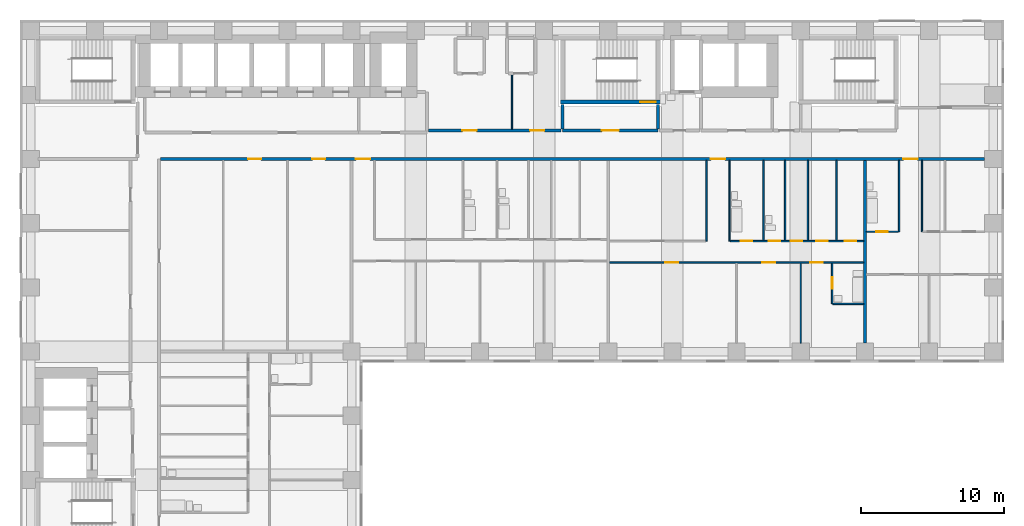
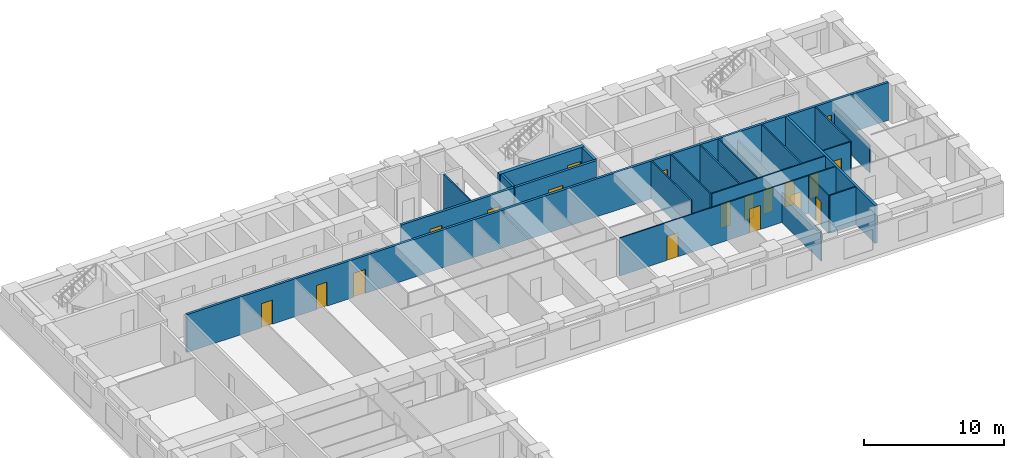
# One storey, part 7 of 12: 22 walls, 19 doors, 19 openings.
"""IFC4 building model written with IfcOpenShell, lengths in metres."""

from ifc_helpers import new_model, si_unit, direction, frame, frame_2d, origin, place, context, subcontext, project, spatial, rectangle, extrude, material, layer, layer_set, type_object, element, fill, save


model = new_model("IFC4")

# Units and contexts
model_context = context("Model", 3, precision=1e-05, world=origin(), true_north=direction((0.0, 1.0)))
body_context = subcontext(model_context, "Body", "Model", "MODEL_VIEW")
ifc_project = project(units=[si_unit("LENGTHUNIT", "METRE"), si_unit("AREAUNIT", "SQUARE_METRE"), si_unit("VOLUMEUNIT", "CUBIC_METRE"), si_unit("PLANEANGLEUNIT", "RADIAN"), si_unit("MASSUNIT", "GRAM", prefix="KILO")], contexts=[model_context])

# Site, building, storey
site_placement = place(None, origin())
site = spatial("IfcSite", under=ifc_project, at=site_placement, CompositionType="ELEMENT")
building_placement = place(site_placement, origin())
building = spatial("IfcBuilding", under=site, at=building_placement, Name="Firuza Court", CompositionType="ELEMENT")
storey_placement = place(building_placement, frame((0.0, 0.0, 97.39990234375)))
storey = spatial("IfcBuildingStorey", under=building, at=storey_placement, Name="L24", CompositionType="ELEMENT", Elevation=97.39990234375)

# Wall, opening, door
ifc_material_1 = material(Name="Moisture-resistant gypsum board partition")
ifc_layer_1 = layer(ifc_material_1, 0.10009765625)
ifc_layer_set_1 = layer_set([ifc_layer_1], Name="Moisture-resistant gypsum board partition")
wall_type_1 = type_object("IfcWallType", Name="Bathroom partition 100", PredefinedType="PLUMBINGWALL", material=ifc_layer_set_1)
wall_1_placement = place(storey_placement, frame((56.199951171875, 39.35009765625, 0.0), z_axis=(0.0, 0.0, 1.0), x_axis=(0.0, 1.0, 0.0)))
wall_1 = element("IfcWall", 1, at=wall_1_placement, inside=storey, type_object=wall_type_1, Name="Bathroom partition 100 L24", PredefinedType="PLUMBINGWALL", context=body_context, shape_type="SweptSolid", body=[
    extrude(rectangle(XDim=2.849853515625, YDim=0.10009765625, at=frame_2d((1.4248046875, 0.0))), origin(), (0.0, 0.0, 1.0), 3.300048828125),
])
opening_1_placement = place(wall_1_placement, frame((1.050048828125, 0.0, 0.0)))
opening_1 = element("IfcOpeningElement", 2, at=opening_1_placement, cuts=wall_1, Name="Opening D24041", PredefinedType="OPENING", context=body_context, shape_type="SweptSolid", body=[
    extrude(rectangle(XDim=0.800048828125, YDim=2.10009765625, at=frame_2d((0.39990234375, 1.050048828125))), frame((0.0, 0.06201171875, 0.0), z_axis=(0.0, -1.0, 0.0), x_axis=(1.0, 0.0, 0.0)), (0.0, 0.0, 1.0), 0.1240234375),
])
ifc_material_2 = material(Name="Timber door leaf in hardwood frame", Category="wood")
door_type_1 = type_object("IfcDoorType", Name="Bathroom door 800", OperationType="SINGLE_SWING_LEFT", PredefinedType="DOOR", material=ifc_material_2)
door_1_placement = place(opening_1_placement, frame((0.800048828125, 0.0, 0.0), z_axis=(0.0, 0.0, 1.0), x_axis=(-1.0, 0.0, 0.0)))
door_1 = element("IfcDoor", 3, at=door_1_placement, inside=storey, type_object=door_type_1, Name="En-suite door", OperationType="SINGLE_SWING_RIGHT", OverallHeight=2.10009765625, OverallWidth=0.800048828125, PredefinedType="DOOR", context=body_context, shape_type="SweptSolid", body=[
    extrude(rectangle(XDim=0.800048828125, YDim=2.10009765625, at=frame_2d((0.39990234375, 1.050048828125))), frame((0.0, 0.02490234375, 0.0), z_axis=(0.0, -1.0, 0.0), x_axis=(1.0, 0.0, 0.0)), (0.0, 0.0, 1.0), 0.050048828125),
])
fill(opening_1, door_1)

# Walls
wall_2_placement = place(storey_placement, frame((56.25, 39.35009765625, 0.0), z_axis=(0.0, 0.0, 1.0), x_axis=(1.0, 0.0, 0.0)))
element("IfcWall", 4, at=wall_2_placement, inside=storey, type_object=wall_type_1, Name="Bathroom partition 100 L24", PredefinedType="PLUMBINGWALL", context=body_context, shape_type="SweptSolid", body=[
    extrude(rectangle(XDim=2.14990234375, YDim=0.10009765625, at=frame_2d((1.074951171875, 0.0))), origin(), (0.0, 0.0, 1.0), 3.300048828125),
])
wall_3_placement = place(storey_placement, frame((49.0, 43.75, 0.0), z_axis=(0.0, 0.0, 1.0), x_axis=(0.0, 1.0, 0.0)))
element("IfcWall", 5, at=wall_3_placement, inside=storey, type_object=wall_type_1, Name="Bathroom partition 100 L24", PredefinedType="PLUMBINGWALL", context=body_context, shape_type="SweptSolid", body=[
    extrude(rectangle(XDim=5.64990234375, YDim=0.10009765625, at=frame_2d((2.824951171875, 0.0))), origin(), (0.0, 0.0, 1.0), 3.300048828125),
])
for number, where, z_axis, x_axis, name in (
    (6, (51.39990234375, 43.800048828125, 0.0), (0.0, 0.0, 1.0), (0.0, 1.0, 0.0), "Bathroom partition 100 L24"),
    (7, (52.89990234375, 43.800048828125, 0.0), (0.0, 0.0, 1.0), (0.0, 1.0, 0.0), "Bathroom partition 100 L24"),
):
    element("IfcWall", number, at=place(storey_placement, frame(where, z_axis=z_axis, x_axis=x_axis)), inside=storey, type_object=wall_type_1, Name=name, PredefinedType="PLUMBINGWALL", context=body_context, shape_type="SweptSolid", body=[
        extrude(rectangle(XDim=5.599853515625, YDim=0.10009765625, at=frame_2d((2.7998046875, 0.0))), origin(), (0.0, 0.0, 1.0), 3.300048828125),
    ])
wall_4_placement = place(storey_placement, frame((60.89990234375, 44.39990234375, 0.0), z_axis=(0.0, 0.0, 1.0), x_axis=(0.0, 1.0, 0.0)))
element("IfcWall", 8, at=wall_4_placement, inside=storey, type_object=wall_type_1, Name="Bathroom partition 100 L24", PredefinedType="PLUMBINGWALL", context=body_context, shape_type="SweptSolid", body=[
    extrude(rectangle(XDim=5.0, YDim=0.10009765625, at=frame_2d((2.5, 0.0))), origin(), (0.0, 0.0, 1.0), 3.300048828125),
])

# Wall, opening, door
ifc_material_3 = material(Name="Concrete C60/75", Category="concrete")
ifc_layer_2 = layer(ifc_material_3, 0.300048828125)
ifc_layer_set_2 = layer_set([ifc_layer_2], Name="Concrete C60/75")
wall_type_2 = type_object("IfcWallType", Name="Core wall 300 C60/75", PredefinedType="SHEAR", material=ifc_layer_set_2)
wall_5_placement = place(storey_placement, frame((37.14990234375, 53.5, -0.2998046875), z_axis=(0.0, 0.0, 1.0), x_axis=(1.0, 0.0, 0.0)))
wall_5 = element("IfcWall", 9, at=wall_5_placement, inside=storey, type_object=wall_type_2, Name="Core wall stair L24", PredefinedType="SHEAR", context=body_context, shape_type="SweptSolid", body=[
    extrude(rectangle(XDim=7.0, YDim=0.300048828125, at=frame_2d((3.5, 0.0))), origin(), (0.0, 0.0, 1.0), 3.599853515625),
])
opening_2_placement = place(wall_5_placement, frame((5.580078125, 0.0, 0.300048828125)))
opening_2 = element("IfcOpeningElement", 10, at=opening_2_placement, cuts=wall_5, Name="Opening D24013", PredefinedType="OPENING", context=body_context, shape_type="SweptSolid", body=[
    extrude(rectangle(XDim=1.10009765625, YDim=2.10009765625, at=frame_2d((0.550048828125, 1.050048828125))), frame((0.0, 0.162109375, 0.0), z_axis=(0.0, -1.0, 0.0), x_axis=(1.0, 0.0, 0.0)), (0.0, 0.0, 1.0), 0.323974609375),
])
ifc_material_4 = material(Name="Timber door leaf in hardwood frame", Category="wood")
door_type_2 = type_object("IfcDoorType", Name="Stair door 1100", OperationType="SINGLE_SWING_LEFT", PredefinedType="DOOR", material=ifc_material_4)
door_2_placement = place(opening_2_placement, origin())
door_2 = element("IfcDoor", 11, at=door_2_placement, inside=storey, type_object=door_type_2, Name="Stair door S1", OperationType="SINGLE_SWING_RIGHT", OverallHeight=2.10009765625, OverallWidth=1.10009765625, PredefinedType="DOOR", context=body_context, shape_type="SweptSolid", body=[
    extrude(rectangle(XDim=1.10009765625, YDim=2.10009765625, at=frame_2d((0.550048828125, 1.050048828125))), frame((0.0, 0.02490234375, 0.0), z_axis=(0.0, -1.0, 0.0), x_axis=(1.0, 0.0, 0.0)), (0.0, 0.0, 1.0), 0.050048828125),
])
fill(opening_2, door_2)

# Wall, openings, doors
ifc_material_5 = material(Name="Blockwork, plastered both sides", Category="masonry")
ifc_layer_3 = layer(ifc_material_5, 0.199951171875)
ifc_layer_set_3 = layer_set([ifc_layer_3], Name="Blockwork, plastered both sides")
wall_type_3 = type_object("IfcWallType", Name="Corridor wall 200", PredefinedType="PARTITIONING", material=ifc_layer_set_3)
wall_6_placement = place(storey_placement, frame((9.10009765625, 49.5, 0.0), z_axis=(0.0, 0.0, 1.0), x_axis=(1.0, 0.0, 0.0)))
wall_6 = element("IfcWall", 12, at=wall_6_placement, inside=storey, type_object=wall_type_3, Name="Corridor wall 200 L24", PredefinedType="PARTITIONING", context=body_context, shape_type="SweptSolid", body=[
    extrude(rectangle(XDim=57.7998046875, YDim=0.199951171875, at=frame_2d((28.89990234375, 0.0))), origin(), (0.0, 0.0, 1.0), 3.300048828125),
])
opening_3_placement = place(wall_6_placement, frame((13.699951171875, 0.0, 0.0)))
opening_3 = element("IfcOpeningElement", 13, at=opening_3_placement, cuts=wall_6, Name="Opening D24066", PredefinedType="OPENING", context=body_context, shape_type="SweptSolid", body=[
    extrude(rectangle(XDim=1.0, YDim=2.10009765625, at=frame_2d((0.5, 1.050048828125))), frame((0.0, 0.11181640625, 0.0), z_axis=(0.0, -1.0, 0.0), x_axis=(1.0, 0.0, 0.0)), (0.0, 0.0, 1.0), 0.223876953125),
])
opening_4_placement = place(wall_6_placement, frame((38.60009765625, 0.0, 0.0)))
opening_4 = element("IfcOpeningElement", 14, at=opening_4_placement, cuts=wall_6, Name="Opening D24067", PredefinedType="OPENING", context=body_context, shape_type="SweptSolid", body=[
    extrude(rectangle(XDim=1.0, YDim=2.10009765625, at=frame_2d((0.5, 1.050048828125))), frame((0.0, 0.11181640625, 0.0), z_axis=(0.0, -1.0, 0.0), x_axis=(1.0, 0.0, 0.0)), (0.0, 0.0, 1.0), 0.223876953125),
])
opening_5_placement = place(wall_6_placement, frame((52.10009765625, 0.0, 0.0)))
opening_5 = element("IfcOpeningElement", 15, at=opening_5_placement, cuts=wall_6, Name="Opening D24068", PredefinedType="OPENING", context=body_context, shape_type="SweptSolid", body=[
    extrude(rectangle(XDim=1.0, YDim=2.10009765625, at=frame_2d((0.5, 1.050048828125))), frame((0.0, 0.11181640625, 0.0), z_axis=(0.0, -1.0, 0.0), x_axis=(1.0, 0.0, 0.0)), (0.0, 0.0, 1.0), 0.223876953125),
])
opening_6_placement = place(wall_6_placement, frame((6.14990234375, 0.0, 0.0)))
opening_6 = element("IfcOpeningElement", 16, at=opening_6_placement, cuts=wall_6, Name="Opening D24069", PredefinedType="OPENING", context=body_context, shape_type="SweptSolid", body=[
    extrude(rectangle(XDim=0.89990234375, YDim=2.10009765625, at=frame_2d((0.449951171875, 1.050048828125))), frame((0.0, 0.11181640625, 0.0), z_axis=(0.0, -1.0, 0.0), x_axis=(1.0, 0.0, 0.0)), (0.0, 0.0, 1.0), 0.223876953125),
])
opening_7_placement = place(wall_6_placement, frame((10.64990234375, 0.0, 0.0)))
opening_7 = element("IfcOpeningElement", 17, at=opening_7_placement, cuts=wall_6, Name="Opening D24070", PredefinedType="OPENING", context=body_context, shape_type="SweptSolid", body=[
    extrude(rectangle(XDim=0.89990234375, YDim=2.10009765625, at=frame_2d((0.449951171875, 1.050048828125))), frame((0.0, 0.11181640625, 0.0), z_axis=(0.0, -1.0, 0.0), x_axis=(1.0, 0.0, 0.0)), (0.0, 0.0, 1.0), 0.223876953125),
])
ifc_material_6 = material(Name="Timber door leaf in hardwood frame", Category="wood")
door_type_3 = type_object("IfcDoorType", Name="Flat entrance door 1000", OperationType="SINGLE_SWING_LEFT", PredefinedType="DOOR", material=ifc_material_6)
door_3_placement = place(opening_3_placement, origin())
door_3 = element("IfcDoor", 18, at=door_3_placement, inside=storey, type_object=door_type_3, Name="Flat entrance door", OperationType="SINGLE_SWING_LEFT", OverallHeight=2.10009765625, OverallWidth=1.0, PredefinedType="DOOR", context=body_context, shape_type="SweptSolid", body=[
    extrude(rectangle(XDim=1.0, YDim=2.10009765625, at=frame_2d((0.5, 1.050048828125))), frame((0.0, 0.02490234375, 0.0), z_axis=(0.0, -1.0, 0.0), x_axis=(1.0, 0.0, 0.0)), (0.0, 0.0, 1.0), 0.050048828125),
])
fill(opening_3, door_3)
door_4_placement = place(opening_4_placement, origin())
door_4 = element("IfcDoor", 19, at=door_4_placement, inside=storey, type_object=door_type_3, Name="Flat entrance door", OperationType="SINGLE_SWING_LEFT", OverallHeight=2.10009765625, OverallWidth=1.0, PredefinedType="DOOR", context=body_context, shape_type="SweptSolid", body=[
    extrude(rectangle(XDim=1.0, YDim=2.10009765625, at=frame_2d((0.5, 1.050048828125))), frame((0.0, 0.02490234375, 0.0), z_axis=(0.0, -1.0, 0.0), x_axis=(1.0, 0.0, 0.0)), (0.0, 0.0, 1.0), 0.050048828125),
])
fill(opening_4, door_4)
door_5_placement = place(opening_5_placement, origin())
door_5 = element("IfcDoor", 20, at=door_5_placement, inside=storey, type_object=door_type_3, Name="Flat entrance door", OperationType="SINGLE_SWING_RIGHT", OverallHeight=2.10009765625, OverallWidth=1.0, PredefinedType="DOOR", context=body_context, shape_type="SweptSolid", body=[
    extrude(rectangle(XDim=1.0, YDim=2.10009765625, at=frame_2d((0.5, 1.050048828125))), frame((0.0, 0.02490234375, 0.0), z_axis=(0.0, -1.0, 0.0), x_axis=(1.0, 0.0, 0.0)), (0.0, 0.0, 1.0), 0.050048828125),
])
fill(opening_5, door_5)
ifc_material_7 = material(Name="Timber door leaf in hardwood frame", Category="wood")
door_type_4 = type_object("IfcDoorType", Name="Room door 900 EI 30", OperationType="SINGLE_SWING_LEFT", PredefinedType="DOOR", material=ifc_material_7)
door_6_placement = place(opening_6_placement, frame((0.89990234375, 0.0, 0.0), z_axis=(0.0, 0.0, 1.0), x_axis=(-1.0, 0.0, 0.0)))
door_6 = element("IfcDoor", 21, at=door_6_placement, inside=storey, type_object=door_type_4, Name="Playroom door", OperationType="SINGLE_SWING_RIGHT", OverallHeight=2.10009765625, OverallWidth=0.89990234375, PredefinedType="DOOR", context=body_context, shape_type="SweptSolid", body=[
    extrude(rectangle(XDim=0.89990234375, YDim=2.10009765625, at=frame_2d((0.449951171875, 1.050048828125))), frame((0.0, 0.02490234375, 0.0), z_axis=(0.0, -1.0, 0.0), x_axis=(1.0, 0.0, 0.0)), (0.0, 0.0, 1.0), 0.050048828125),
])
fill(opening_6, door_6)
door_7_placement = place(opening_7_placement, origin())
door_7 = element("IfcDoor", 22, at=door_7_placement, inside=storey, type_object=door_type_4, Name="Yoga studio door", OperationType="SINGLE_SWING_LEFT", OverallHeight=2.10009765625, OverallWidth=0.89990234375, PredefinedType="DOOR", context=body_context, shape_type="SweptSolid", body=[
    extrude(rectangle(XDim=0.89990234375, YDim=2.10009765625, at=frame_2d((0.449951171875, 1.050048828125))), frame((0.0, 0.02490234375, 0.0), z_axis=(0.0, -1.0, 0.0), x_axis=(1.0, 0.0, 0.0)), (0.0, 0.0, 1.0), 0.050048828125),
])
fill(opening_7, door_7)

wall_7_placement = place(storey_placement, frame((27.89990234375, 51.5, 0.0), z_axis=(0.0, 0.0, 1.0), x_axis=(1.0, 0.0, 0.0)))
wall_7 = element("IfcWall", 23, at=wall_7_placement, inside=storey, type_object=wall_type_3, Name="Corridor wall 200 L24", PredefinedType="PARTITIONING", context=body_context, shape_type="SweptSolid", body=[
    extrude(rectangle(XDim=9.300048828125, YDim=0.199951171875, at=frame_2d((4.64990234375, 0.0))), origin(), (0.0, 0.0, 1.0), 3.300048828125),
])
opening_8_placement = place(wall_7_placement, frame((2.375, 0.0, 0.0)))
opening_8 = element("IfcOpeningElement", 24, at=opening_8_placement, cuts=wall_7, Name="Opening D24071", PredefinedType="OPENING", context=body_context, shape_type="SweptSolid", body=[
    extrude(rectangle(XDim=1.0, YDim=2.10009765625, at=frame_2d((0.5, 1.050048828125))), frame((0.0, 0.11181640625, 0.0), z_axis=(0.0, -1.0, 0.0), x_axis=(1.0, 0.0, 0.0)), (0.0, 0.0, 1.0), 0.223876953125),
])
opening_9_placement = place(wall_7_placement, frame((7.125, 0.0, 0.0)))
opening_9 = element("IfcOpeningElement", 25, at=opening_9_placement, cuts=wall_7, Name="Opening D24072", PredefinedType="OPENING", context=body_context, shape_type="SweptSolid", body=[
    extrude(rectangle(XDim=1.0, YDim=2.10009765625, at=frame_2d((0.5, 1.050048828125))), frame((0.0, 0.11181640625, 0.0), z_axis=(0.0, -1.0, 0.0), x_axis=(1.0, 0.0, 0.0)), (0.0, 0.0, 1.0), 0.223876953125),
])
ifc_material_8 = material(Name="Timber door leaf in hardwood frame", Category="wood")
door_type_5 = type_object("IfcDoorType", Name="Store door 1000", OperationType="SINGLE_SWING_LEFT", PredefinedType="DOOR", material=ifc_material_8)
door_8_placement = place(opening_8_placement, origin())
door_8 = element("IfcDoor", 26, at=door_8_placement, inside=storey, type_object=door_type_5, Name="Comms room door", OperationType="SINGLE_SWING_LEFT", OverallHeight=2.10009765625, OverallWidth=1.0, PredefinedType="DOOR", context=body_context, shape_type="SweptSolid", body=[
    extrude(rectangle(XDim=1.0, YDim=2.10009765625, at=frame_2d((0.5, 1.050048828125))), frame((0.0, 0.02490234375, 0.0), z_axis=(0.0, -1.0, 0.0), x_axis=(1.0, 0.0, 0.0)), (0.0, 0.0, 1.0), 0.050048828125),
])
fill(opening_8, door_8)
door_9_placement = place(opening_9_placement, origin())
door_9 = element("IfcDoor", 27, at=door_9_placement, inside=storey, type_object=door_type_5, Name="Cleaner's store door", OperationType="SINGLE_SWING_LEFT", OverallHeight=2.10009765625, OverallWidth=1.0, PredefinedType="DOOR", context=body_context, shape_type="SweptSolid", body=[
    extrude(rectangle(XDim=1.0, YDim=2.10009765625, at=frame_2d((0.5, 1.050048828125))), frame((0.0, 0.02490234375, 0.0), z_axis=(0.0, -1.0, 0.0), x_axis=(1.0, 0.0, 0.0)), (0.0, 0.0, 1.0), 0.050048828125),
])
fill(opening_9, door_9)

# Wall
ifc_material_9 = material(Name="Timber stud partition, plasterboard both sides", Category="wood")
ifc_layer_4 = layer(ifc_material_9, 0.10009765625)
ifc_layer_set_4 = layer_set([ifc_layer_4], Name="Timber stud partition, plasterboard both sides")
wall_type_4 = type_object("IfcWallType", Name="Partition wall 100", PredefinedType="PARTITIONING", material=ifc_layer_set_4)
wall_8_placement = place(storey_placement, frame((54.0, 36.60009765625, 0.0), z_axis=(0.0, 0.0, 1.0), x_axis=(0.0, 1.0, 0.0)))
element("IfcWall", 28, at=wall_8_placement, inside=storey, type_object=wall_type_4, Name="Partition wall 100 L24", PredefinedType="PARTITIONING", context=body_context, shape_type="SweptSolid", body=[
    extrude(rectangle(XDim=5.599853515625, YDim=0.10009765625, at=frame_2d((2.7998046875, 0.0))), origin(), (0.0, 0.0, 1.0), 2.60009765625),
])

# Wall, openings, doors
wall_9_placement = place(storey_placement, frame((40.60009765625, 42.25, 0.0), z_axis=(0.0, 0.0, 1.0), x_axis=(1.0, 0.0, 0.0)))
wall_9 = element("IfcWall", 29, at=wall_9_placement, inside=storey, type_object=wall_type_4, Name="Partition wall 100 L24", PredefinedType="PARTITIONING", context=body_context, shape_type="SweptSolid", body=[
    extrude(rectangle(XDim=17.7998046875, YDim=0.10009765625, at=frame_2d((8.89990234375, 0.0))), origin(), (0.0, 0.0, 1.0), 3.300048828125),
])
opening_10_placement = place(wall_9_placement, frame((3.89990234375, 0.0, 0.0)))
opening_10 = element("IfcOpeningElement", 30, at=opening_10_placement, cuts=wall_9, Name="Opening D24044", PredefinedType="OPENING", context=body_context, shape_type="SweptSolid", body=[
    extrude(rectangle(XDim=0.89990234375, YDim=2.10009765625, at=frame_2d((0.449951171875, 1.050048828125))), frame((0.0, 0.06201171875, 0.0), z_axis=(0.0, -1.0, 0.0), x_axis=(1.0, 0.0, 0.0)), (0.0, 0.0, 1.0), 0.1240234375),
])
opening_11_placement = place(wall_9_placement, frame((10.699951171875, 0.0, 0.0)))
opening_11 = element("IfcOpeningElement", 31, at=opening_11_placement, cuts=wall_9, Name="Opening D24045", PredefinedType="OPENING", context=body_context, shape_type="SweptSolid", body=[
    extrude(rectangle(XDim=0.89990234375, YDim=2.10009765625, at=frame_2d((0.449951171875, 1.050048828125))), frame((0.0, 0.06201171875, 0.0), z_axis=(0.0, -1.0, 0.0), x_axis=(1.0, 0.0, 0.0)), (0.0, 0.0, 1.0), 0.1240234375),
])
opening_12_placement = place(wall_9_placement, frame((14.050048828125, 0.0, 0.0)))
opening_12 = element("IfcOpeningElement", 32, at=opening_12_placement, cuts=wall_9, Name="Opening D24046", PredefinedType="OPENING", context=body_context, shape_type="SweptSolid", body=[
    extrude(rectangle(XDim=0.89990234375, YDim=2.10009765625, at=frame_2d((0.449951171875, 1.050048828125))), frame((0.0, 0.06201171875, 0.0), z_axis=(0.0, -1.0, 0.0), x_axis=(1.0, 0.0, 0.0)), (0.0, 0.0, 1.0), 0.1240234375),
])
ifc_material_10 = material(Name="Timber door leaf in hardwood frame", Category="wood")
door_type_6 = type_object("IfcDoorType", Name="Room door 900", OperationType="SINGLE_SWING_LEFT", PredefinedType="DOOR", material=ifc_material_10)
door_10_placement = place(opening_10_placement, frame((0.89990234375, 0.0, 0.0), z_axis=(0.0, 0.0, 1.0), x_axis=(-1.0, 0.0, 0.0)))
door_10 = element("IfcDoor", 33, at=door_10_placement, inside=storey, type_object=door_type_6, Name="Living room door", OperationType="SINGLE_SWING_RIGHT", OverallHeight=2.10009765625, OverallWidth=0.89990234375, PredefinedType="DOOR", context=body_context, shape_type="SweptSolid", body=[
    extrude(rectangle(XDim=0.89990234375, YDim=2.10009765625, at=frame_2d((0.449951171875, 1.050048828125))), frame((0.0, 0.02490234375, 0.0), z_axis=(0.0, -1.0, 0.0), x_axis=(1.0, 0.0, 0.0)), (0.0, 0.0, 1.0), 0.050048828125),
])
fill(opening_10, door_10)
door_11_placement = place(opening_11_placement, frame((0.89990234375, 0.0, 0.0), z_axis=(0.0, 0.0, 1.0), x_axis=(-1.0, 0.0, 0.0)))
door_11 = element("IfcDoor", 34, at=door_11_placement, inside=storey, type_object=door_type_6, Name="Bedroom door", OperationType="SINGLE_SWING_RIGHT", OverallHeight=2.10009765625, OverallWidth=0.89990234375, PredefinedType="DOOR", context=body_context, shape_type="SweptSolid", body=[
    extrude(rectangle(XDim=0.89990234375, YDim=2.10009765625, at=frame_2d((0.449951171875, 1.050048828125))), frame((0.0, 0.02490234375, 0.0), z_axis=(0.0, -1.0, 0.0), x_axis=(1.0, 0.0, 0.0)), (0.0, 0.0, 1.0), 0.050048828125),
])
fill(opening_11, door_11)
door_12_placement = place(opening_12_placement, frame((0.89990234375, 0.0, 0.0), z_axis=(0.0, 0.0, 1.0), x_axis=(-1.0, 0.0, 0.0)))
door_12 = element("IfcDoor", 35, at=door_12_placement, inside=storey, type_object=door_type_6, Name="Bedroom door", OperationType="SINGLE_SWING_RIGHT", OverallHeight=2.10009765625, OverallWidth=0.89990234375, PredefinedType="DOOR", context=body_context, shape_type="SweptSolid", body=[
    extrude(rectangle(XDim=0.89990234375, YDim=2.10009765625, at=frame_2d((0.449951171875, 1.050048828125))), frame((0.0, 0.02490234375, 0.0), z_axis=(0.0, -1.0, 0.0), x_axis=(1.0, 0.0, 0.0)), (0.0, 0.0, 1.0), 0.050048828125),
])
fill(opening_12, door_12)

# Wall
wall_10_placement = place(storey_placement, frame((47.39990234375, 43.75, 0.0), z_axis=(0.0, 0.0, 1.0), x_axis=(0.0, 1.0, 0.0)))
element("IfcWall", 36, at=wall_10_placement, inside=storey, type_object=wall_type_4, Name="Partition wall 100 L24", PredefinedType="PARTITIONING", context=body_context, shape_type="SweptSolid", body=[
    extrude(rectangle(XDim=5.64990234375, YDim=0.10009765625, at=frame_2d((2.824951171875, 0.0))), origin(), (0.0, 0.0, 1.0), 3.300048828125),
])

# Wall, openings, doors
wall_11_placement = place(storey_placement, frame((49.050048828125, 43.75, 0.0), z_axis=(0.0, 0.0, 1.0), x_axis=(1.0, 0.0, 0.0)))
wall_11 = element("IfcWall", 37, at=wall_11_placement, inside=storey, type_object=wall_type_4, Name="Partition wall 100 L24", PredefinedType="PARTITIONING", context=body_context, shape_type="SweptSolid", body=[
    extrude(rectangle(XDim=9.349853515625, YDim=0.10009765625, at=frame_2d((4.6748046875, 0.0))), origin(), (0.0, 0.0, 1.0), 3.300048828125),
])
opening_13_placement = place(wall_11_placement, frame((0.75, 0.0, 0.0)))
opening_13 = element("IfcOpeningElement", 38, at=opening_13_placement, cuts=wall_11, Name="Opening D24052", PredefinedType="OPENING", context=body_context, shape_type="SweptSolid", body=[
    extrude(rectangle(XDim=0.800048828125, YDim=2.10009765625, at=frame_2d((0.39990234375, 1.050048828125))), frame((0.0, 0.06201171875, 0.0), z_axis=(0.0, -1.0, 0.0), x_axis=(1.0, 0.0, 0.0)), (0.0, 0.0, 1.0), 0.1240234375),
])
opening_14_placement = place(wall_11_placement, frame((8.050048828125, 0.0, 0.0)))
opening_14 = element("IfcOpeningElement", 39, at=opening_14_placement, cuts=wall_11, Name="Opening D24053", PredefinedType="OPENING", context=body_context, shape_type="SweptSolid", body=[
    extrude(rectangle(XDim=0.800048828125, YDim=2.10009765625, at=frame_2d((0.39990234375, 1.050048828125))), frame((0.0, 0.06201171875, 0.0), z_axis=(0.0, -1.0, 0.0), x_axis=(1.0, 0.0, 0.0)), (0.0, 0.0, 1.0), 0.1240234375),
])
opening_15_placement = place(wall_11_placement, frame((4.25, 0.0, 0.0)))
opening_15 = element("IfcOpeningElement", 40, at=opening_15_placement, cuts=wall_11, Name="Opening D24054", PredefinedType="OPENING", context=body_context, shape_type="SweptSolid", body=[
    extrude(rectangle(XDim=0.800048828125, YDim=2.10009765625, at=frame_2d((0.39990234375, 1.050048828125))), frame((0.0, 0.06201171875, 0.0), z_axis=(0.0, -1.0, 0.0), x_axis=(1.0, 0.0, 0.0)), (0.0, 0.0, 1.0), 0.1240234375),
])
opening_16_placement = place(wall_11_placement, frame((6.050048828125, 0.0, 0.0)))
opening_16 = element("IfcOpeningElement", 41, at=opening_16_placement, cuts=wall_11, Name="Opening D24055", PredefinedType="OPENING", context=body_context, shape_type="SweptSolid", body=[
    extrude(rectangle(XDim=0.800048828125, YDim=2.10009765625, at=frame_2d((0.39990234375, 1.050048828125))), frame((0.0, 0.06201171875, 0.0), z_axis=(0.0, -1.0, 0.0), x_axis=(1.0, 0.0, 0.0)), (0.0, 0.0, 1.0), 0.1240234375),
])
opening_17_placement = place(wall_11_placement, frame((2.699951171875, 0.0, 0.0)))
opening_17 = element("IfcOpeningElement", 42, at=opening_17_placement, cuts=wall_11, Name="Opening D24056", PredefinedType="OPENING", context=body_context, shape_type="SweptSolid", body=[
    extrude(rectangle(XDim=0.800048828125, YDim=2.10009765625, at=frame_2d((0.39990234375, 1.050048828125))), frame((0.0, 0.06201171875, 0.0), z_axis=(0.0, -1.0, 0.0), x_axis=(1.0, 0.0, 0.0)), (0.0, 0.0, 1.0), 0.1240234375),
])
door_13_placement = place(opening_13_placement, origin())
door_13 = element("IfcDoor", 43, at=door_13_placement, inside=storey, type_object=door_type_1, Name="Bathroom door", OperationType="SINGLE_SWING_LEFT", OverallHeight=2.10009765625, OverallWidth=0.800048828125, PredefinedType="DOOR", context=body_context, shape_type="SweptSolid", body=[
    extrude(rectangle(XDim=0.800048828125, YDim=2.10009765625, at=frame_2d((0.39990234375, 1.050048828125))), frame((0.0, 0.02490234375, 0.0), z_axis=(0.0, -1.0, 0.0), x_axis=(1.0, 0.0, 0.0)), (0.0, 0.0, 1.0), 0.050048828125),
])
fill(opening_13, door_13)
door_14_placement = place(opening_17_placement, origin())
door_14 = element("IfcDoor", 44, at=door_14_placement, inside=storey, type_object=door_type_1, Name="Powder room door", OperationType="SINGLE_SWING_LEFT", OverallHeight=2.10009765625, OverallWidth=0.800048828125, PredefinedType="DOOR", context=body_context, shape_type="SweptSolid", body=[
    extrude(rectangle(XDim=0.800048828125, YDim=2.10009765625, at=frame_2d((0.39990234375, 1.050048828125))), frame((0.0, 0.02490234375, 0.0), z_axis=(0.0, -1.0, 0.0), x_axis=(1.0, 0.0, 0.0)), (0.0, 0.0, 1.0), 0.050048828125),
])
fill(opening_17, door_14)
ifc_material_11 = material(Name="Timber door leaf in hardwood frame", Category="wood")
door_type_7 = type_object("IfcDoorType", Name="Room door 800", OperationType="SINGLE_SWING_LEFT", PredefinedType="DOOR", material=ifc_material_11)
door_15_placement = place(opening_14_placement, origin())
door_15 = element("IfcDoor", 45, at=door_15_placement, inside=storey, type_object=door_type_7, Name="Pantry door", OperationType="SINGLE_SWING_LEFT", OverallHeight=2.10009765625, OverallWidth=0.800048828125, PredefinedType="DOOR", context=body_context, shape_type="SweptSolid", body=[
    extrude(rectangle(XDim=0.800048828125, YDim=2.10009765625, at=frame_2d((0.39990234375, 1.050048828125))), frame((0.0, 0.02490234375, 0.0), z_axis=(0.0, -1.0, 0.0), x_axis=(1.0, 0.0, 0.0)), (0.0, 0.0, 1.0), 0.050048828125),
])
fill(opening_14, door_15)
door_16_placement = place(opening_15_placement, origin())
door_16 = element("IfcDoor", 46, at=door_16_placement, inside=storey, type_object=door_type_7, Name="Store door", OperationType="SINGLE_SWING_LEFT", OverallHeight=2.10009765625, OverallWidth=0.800048828125, PredefinedType="DOOR", context=body_context, shape_type="SweptSolid", body=[
    extrude(rectangle(XDim=0.800048828125, YDim=2.10009765625, at=frame_2d((0.39990234375, 1.050048828125))), frame((0.0, 0.02490234375, 0.0), z_axis=(0.0, -1.0, 0.0), x_axis=(1.0, 0.0, 0.0)), (0.0, 0.0, 1.0), 0.050048828125),
])
fill(opening_15, door_16)
door_17_placement = place(opening_16_placement, origin())
door_17 = element("IfcDoor", 47, at=door_17_placement, inside=storey, type_object=door_type_7, Name="Utility room door", OperationType="SINGLE_SWING_LEFT", OverallHeight=2.10009765625, OverallWidth=0.800048828125, PredefinedType="DOOR", context=body_context, shape_type="SweptSolid", body=[
    extrude(rectangle(XDim=0.800048828125, YDim=2.10009765625, at=frame_2d((0.39990234375, 1.050048828125))), frame((0.0, 0.02490234375, 0.0), z_axis=(0.0, -1.0, 0.0), x_axis=(1.0, 0.0, 0.0)), (0.0, 0.0, 1.0), 0.050048828125),
])
fill(opening_16, door_17)

# Walls
wall_12_placement = place(storey_placement, frame((54.5, 43.800048828125, 0.0), z_axis=(0.0, 0.0, 1.0), x_axis=(0.0, 1.0, 0.0)))
element("IfcWall", 48, at=wall_12_placement, inside=storey, type_object=wall_type_4, Name="Partition wall 100 L24", PredefinedType="PARTITIONING", context=body_context, shape_type="SweptSolid", body=[
    extrude(rectangle(XDim=5.599853515625, YDim=0.10009765625, at=frame_2d((2.7998046875, 0.0))), origin(), (0.0, 0.0, 1.0), 2.60009765625),
])
wall_13_placement = place(storey_placement, frame((56.5, 43.800048828125, 0.0), z_axis=(0.0, 0.0, 1.0), x_axis=(0.0, 1.0, 0.0)))
element("IfcWall", 49, at=wall_13_placement, inside=storey, type_object=wall_type_4, Name="Partition wall 100 L24", PredefinedType="PARTITIONING", context=body_context, shape_type="SweptSolid", body=[
    extrude(rectangle(XDim=5.599853515625, YDim=0.10009765625, at=frame_2d((2.7998046875, 0.0))), origin(), (0.0, 0.0, 1.0), 3.300048828125),
])

# Wall, opening, door
wall_14_placement = place(storey_placement, frame((58.60009765625, 44.39990234375, 0.0), z_axis=(0.0, 0.0, 1.0), x_axis=(1.0, 0.0, 0.0)))
wall_14 = element("IfcWall", 50, at=wall_14_placement, inside=storey, type_object=wall_type_4, Name="Partition wall 100 L24", PredefinedType="PARTITIONING", context=body_context, shape_type="SweptSolid", body=[
    extrude(rectangle(XDim=2.25, YDim=0.10009765625, at=frame_2d((1.125, 0.0))), origin(), (0.0, 0.0, 1.0), 3.300048828125),
])
opening_18_placement = place(wall_14_placement, frame((0.699951171875, 0.0, 0.0)))
opening_18 = element("IfcOpeningElement", 51, at=opening_18_placement, cuts=wall_14, Name="Opening D24063", PredefinedType="OPENING", context=body_context, shape_type="SweptSolid", body=[
    extrude(rectangle(XDim=0.800048828125, YDim=2.10009765625, at=frame_2d((0.39990234375, 1.050048828125))), frame((0.0, 0.06201171875, 0.0), z_axis=(0.0, -1.0, 0.0), x_axis=(1.0, 0.0, 0.0)), (0.0, 0.0, 1.0), 0.1240234375),
])
door_18_placement = place(opening_18_placement, origin())
door_18 = element("IfcDoor", 52, at=door_18_placement, inside=storey, type_object=door_type_1, Name="Bathroom door", OperationType="SINGLE_SWING_LEFT", OverallHeight=2.10009765625, OverallWidth=0.800048828125, PredefinedType="DOOR", context=body_context, shape_type="SweptSolid", body=[
    extrude(rectangle(XDim=0.800048828125, YDim=2.10009765625, at=frame_2d((0.39990234375, 1.050048828125))), frame((0.0, 0.02490234375, 0.0), z_axis=(0.0, -1.0, 0.0), x_axis=(1.0, 0.0, 0.0)), (0.0, 0.0, 1.0), 0.050048828125),
])
fill(opening_18, door_18)

# Walls
wall_15_placement = place(storey_placement, frame((62.5, 44.39990234375, 0.0), z_axis=(0.0, 0.0, 1.0), x_axis=(0.0, 1.0, 0.0)))
element("IfcWall", 53, at=wall_15_placement, inside=storey, type_object=wall_type_4, Name="Partition wall 100 L24", PredefinedType="PARTITIONING", context=body_context, shape_type="SweptSolid", body=[
    extrude(rectangle(XDim=5.0, YDim=0.10009765625, at=frame_2d((2.5, 0.0))), origin(), (0.0, 0.0, 1.0), 2.400146484375),
])
wall_16_placement = place(storey_placement, frame((33.75, 51.60009765625, 0.0), z_axis=(0.0, 0.0, 1.0), x_axis=(0.0, 1.0, 0.0)))
element("IfcWall", 54, at=wall_16_placement, inside=storey, type_object=wall_type_4, Name="Partition wall 100 L24", PredefinedType="PARTITIONING", context=body_context, shape_type="SweptSolid", body=[
    extrude(rectangle(XDim=3.7998046875, YDim=0.10009765625, at=frame_2d((1.89990234375, 0.0))), origin(), (0.0, 0.0, 1.0), 3.300048828125),
])
ifc_layer_5 = layer(ifc_material_5, 0.199951171875)
ifc_layer_set_5 = layer_set([ifc_layer_5], Name="Blockwork, plastered both sides")
wall_type_5 = type_object("IfcWallType", Name="Party wall 200", PredefinedType="PARTITIONING", material=ifc_layer_set_5)
wall_17_placement = place(storey_placement, frame((58.5, 36.60009765625, 0.0), z_axis=(0.0, 0.0, 1.0), x_axis=(0.0, 1.0, 0.0)))
element("IfcWall", 55, at=wall_17_placement, inside=storey, type_object=wall_type_5, Name="Party wall 200 L24", PredefinedType="PARTITIONING", context=body_context, shape_type="SweptSolid", body=[
    extrude(rectangle(XDim=12.7998046875, YDim=0.199951171875, at=frame_2d((6.39990234375, 0.0))), origin(), (0.0, 0.0, 1.0), 3.300048828125),
])

# Wall, opening, door
ifc_material_12 = material(Name="Blockwork, fire-rated", Category="masonry")
ifc_layer_6 = layer(ifc_material_12, 0.199951171875)
ifc_layer_set_6 = layer_set([ifc_layer_6], Name="Blockwork, fire-rated")
wall_type_6 = type_object("IfcWallType", Name="Shaft wall 200", PredefinedType="PARTITIONING", material=ifc_layer_set_6)
wall_18_placement = place(storey_placement, frame((37.300048828125, 51.5, 0.0), z_axis=(0.0, 0.0, 1.0), x_axis=(1.0, 0.0, 0.0)))
wall_18 = element("IfcWall", 56, at=wall_18_placement, inside=storey, type_object=wall_type_6, Name="Shaft wall 200 L24", PredefinedType="PARTITIONING", context=body_context, shape_type="SweptSolid", body=[
    extrude(rectangle(XDim=6.699951171875, YDim=0.199951171875, at=frame_2d((3.35009765625, 0.0))), origin(), (0.0, 0.0, 1.0), 3.300048828125),
])
opening_19_placement = place(wall_18_placement, frame((2.75, 0.0, 0.0)))
opening_19 = element("IfcOpeningElement", 57, at=opening_19_placement, cuts=wall_18, Name="Opening D24006", PredefinedType="OPENING", context=body_context, shape_type="SweptSolid", body=[
    extrude(rectangle(XDim=1.199951171875, YDim=2.10009765625, at=frame_2d((0.60009765625, 1.050048828125))), frame((0.0, 0.11181640625, 0.0), z_axis=(0.0, -1.0, 0.0), x_axis=(1.0, 0.0, 0.0)), (0.0, 0.0, 1.0), 0.223876953125),
])
ifc_material_13 = material(Name="Timber door leaf in hardwood frame", Category="wood")
door_type_8 = type_object("IfcDoorType", Name="Lobby door 1200", OperationType="SINGLE_SWING_LEFT", PredefinedType="DOOR", material=ifc_material_13)
door_19_placement = place(opening_19_placement, origin())
door_19 = element("IfcDoor", 58, at=door_19_placement, inside=storey, type_object=door_type_8, Name="Lobby door", OperationType="SINGLE_SWING_LEFT", OverallHeight=2.10009765625, OverallWidth=1.199951171875, PredefinedType="DOOR", context=body_context, shape_type="SweptSolid", body=[
    extrude(rectangle(XDim=1.199951171875, YDim=2.10009765625, at=frame_2d((0.60009765625, 1.050048828125))), frame((0.0, 0.02490234375, 0.0), z_axis=(0.0, -1.0, 0.0), x_axis=(1.0, 0.0, 0.0)), (0.0, 0.0, 1.0), 0.050048828125),
])
fill(opening_19, door_19)

# Walls
for number, where, z_axis, x_axis, name in (
    (59, (44.0, 51.60009765625, 0.0), (0.0, 0.0, 1.0), (0.0, 1.0, 0.0), "Shaft wall 200 L24"),
    (60, (37.300048828125, 51.60009765625, 0.0), (0.0, 0.0, 1.0), (0.0, 1.0, 0.0), "Shaft wall 200 L24"),
):
    element("IfcWall", number, at=place(storey_placement, frame(where, z_axis=z_axis, x_axis=x_axis)), inside=storey, type_object=wall_type_6, Name=name, PredefinedType="PARTITIONING", context=body_context, shape_type="SweptSolid", body=[
        extrude(rectangle(XDim=1.72998046875, YDim=0.199951171875, at=frame_2d((0.864990234375, 0.0))), origin(), (0.0, 0.0, 1.0), 3.300048828125),
    ])

save(model, "model.ifc")
